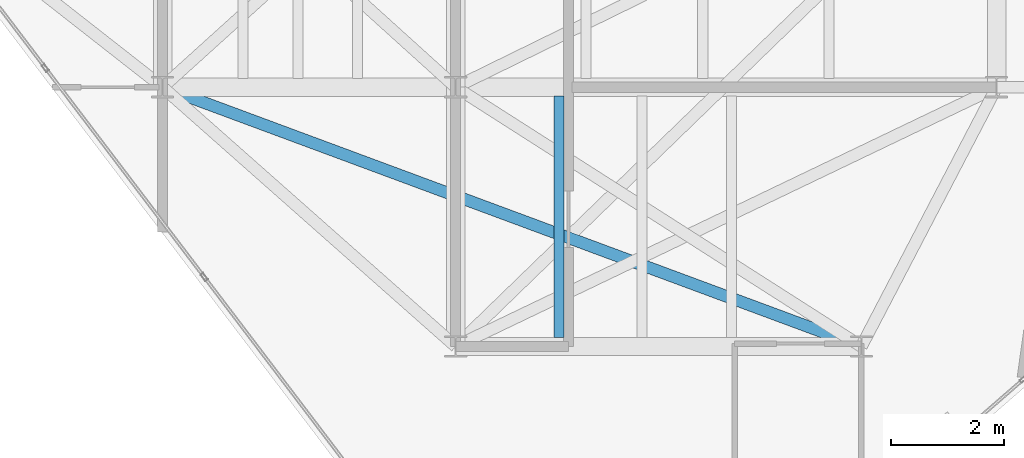
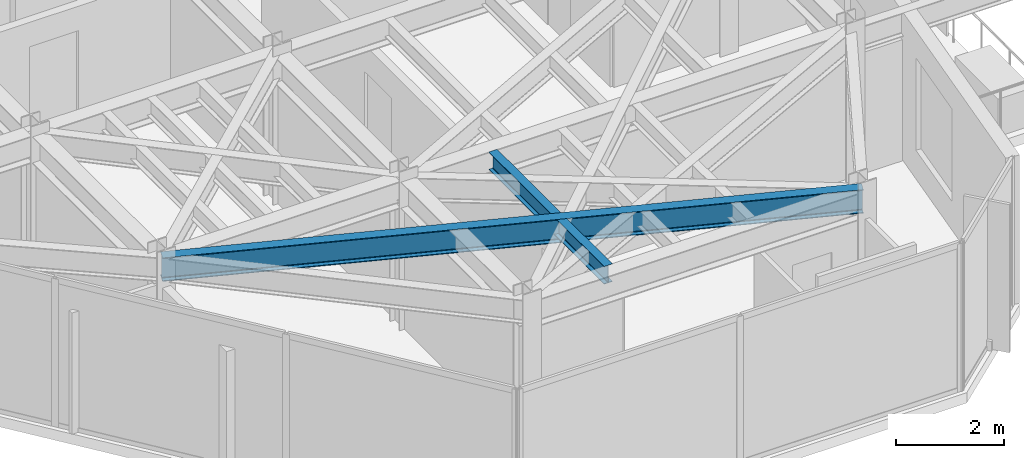
# One storey, part 8 of 16: 2 beams.
"""IFC4 building model written with IfcOpenShell, lengths in metres."""

from ifc_helpers import new_model, si_unit, direction, frame, origin, origin_2d, place, context, subcontext, project, spatial, i_section, extrude, material, material_profile, profile_set, type_object, element, save


model = new_model("IFC4")

# Units and contexts
model_context = context("Model", 3, precision=1e-05, world=origin(), true_north=direction((0.0, 1.0)))
body_context = subcontext(model_context, "Body", "Model", "MODEL_VIEW")
ifc_project = project(units=[si_unit("LENGTHUNIT", "METRE"), si_unit("AREAUNIT", "SQUARE_METRE"), si_unit("VOLUMEUNIT", "CUBIC_METRE"), si_unit("PLANEANGLEUNIT", "RADIAN"), si_unit("MASSUNIT", "GRAM", prefix="KILO")], contexts=[model_context])

# Site, building, storey
site_placement = place(None, origin())
site = spatial("IfcSite", under=ifc_project, at=site_placement, CompositionType="ELEMENT")
building_placement = place(site_placement, origin())
building = spatial("IfcBuilding", under=site, at=building_placement, Name="Kravanh Interchange Tower", CompositionType="ELEMENT")
storey_placement = place(building_placement, frame((0.0, 0.0, 303.89990234375)))
storey = spatial("IfcBuildingStorey", under=building, at=storey_placement, Name="L75", CompositionType="ELEMENT", Elevation=303.89990234375)

# Beams
ifc_material_1 = material(Name="Structural Steel S355", Category="steel")
ifc_material_profile_1 = material_profile(ifc_material_1, i_section(OverallWidth=0.177978515625, OverallDepth=0.406005859375, WebThickness=0.0078125, FlangeThickness=0.0126953125, FilletRadius=0.01611328125, at=origin_2d()), Name="W16X40")
ifc_profile_set_1 = profile_set([ifc_material_profile_1], Name="Structural Steel S355")
beam_type_1 = type_object("IfcBeamType", Name="Floor Joist W16X40 Structural Steel S355", PredefinedType="JOIST", material=ifc_profile_set_1)
beam_1_placement = place(storey_placement, frame((57.830078125, 22.35693359375, 3.162109375), z_axis=(0.0, 1.0, 0.0), x_axis=(-1.0, 0.0, 0.0)))
element("IfcBeam", 1, at=beam_1_placement, inside=storey, type_object=beam_type_1, Name="L75 Secondary Floor Joist 1", PredefinedType="JOIST", context=body_context, shape_type="SweptSolid", body=[
    extrude(i_section(OverallWidth=0.177978515625, OverallDepth=0.406005859375, WebThickness=0.0078125, FlangeThickness=0.0126953125, FilletRadius=0.01611328125, at=origin_2d()), origin(), (0.0, 0.0, 1.0), 4.2861328125),
])
ifc_material_2 = material(Name="Structural Steel S355", Category="steel")
ifc_material_profile_2 = material_profile(ifc_material_2, i_section(OverallWidth=0.2099609375, OverallDepth=0.537109375, WebThickness=0.010986328125, FlangeThickness=0.017333984375, FilletRadius=0.02001953125, at=origin_2d()), Name="W21X68")
ifc_profile_set_2 = profile_set([ifc_material_profile_2], Name="Structural Steel S355")
beam_type_2 = type_object("IfcBeamType", Name="Floor Spandrel W21X68 Structural Steel S355", PredefinedType="SPANDREL", material=ifc_profile_set_2)
beam_2_placement = place(storey_placement, frame((50.800048828125, 26.800048828125, 3.0966796875), z_axis=(0.937562917338, -0.347815721372, 0.0), x_axis=(0.347815721372, 0.937562917338, 0.0)))
element("IfcBeam", 2, at=beam_2_placement, inside=storey, type_object=beam_type_2, Name="L75 Perimeter Spandrel 21", PredefinedType="SPANDREL", context=body_context, shape_type="SweptSolid", body=[
    extrude(i_section(OverallWidth=0.2099609375, OverallDepth=0.537109375, WebThickness=0.010986328125, FlangeThickness=0.017333984375, FilletRadius=0.02001953125, at=origin_2d()), origin(), (0.0, 0.0, 1.0), 13.2255859375),
])

save(model, "model.ifc")
